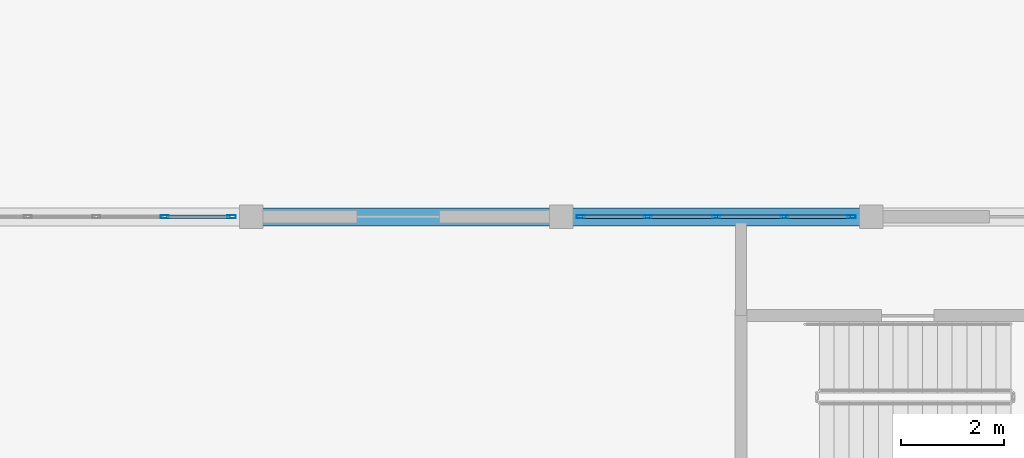
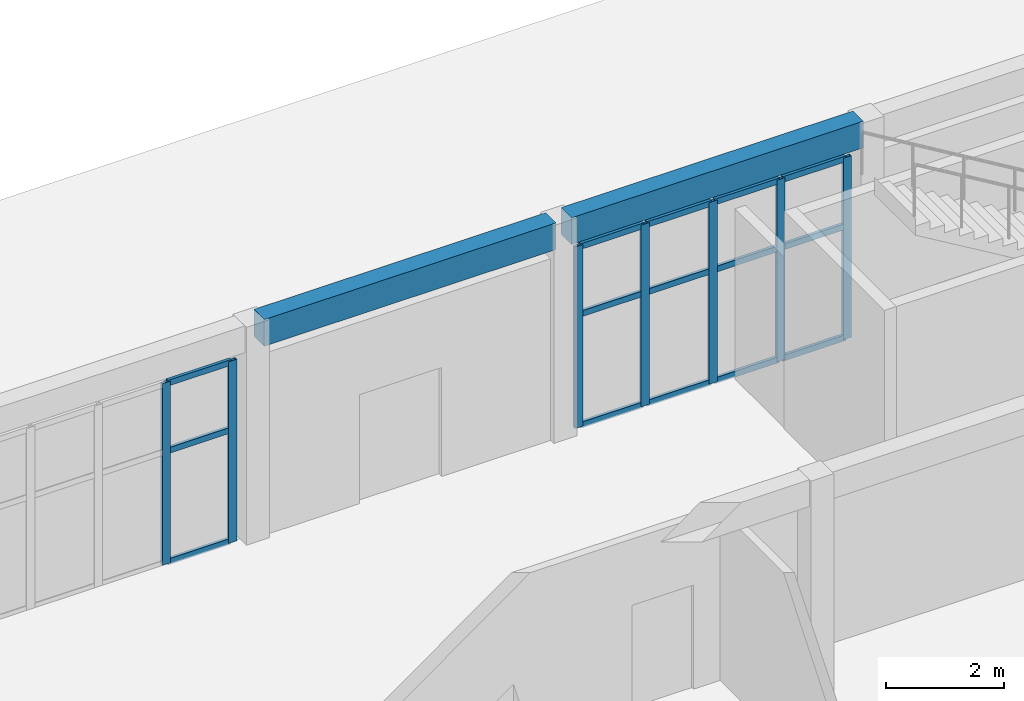
# One storey, part 50 of 132: 22 members, 2 beams, 2 elements without a shape of their own.
"""IFC4 building model written with IfcOpenShell, lengths in metres."""

from ifc_helpers import new_model, si_unit, direction, frame, origin, origin_2d, place, context, subcontext, project, spatial, rectangle, hollow_rectangle, extrude, material, material_profile, profile_set, type_object, element, aggregate, save


model = new_model("IFC4")

# Units and contexts
model_context = context("Model", 3, precision=1e-05, world=origin(), true_north=direction((0.0, 1.0)))
body_context = subcontext(model_context, "Body", "Model", "MODEL_VIEW")
ifc_project = project(units=[si_unit("LENGTHUNIT", "METRE"), si_unit("AREAUNIT", "SQUARE_METRE"), si_unit("VOLUMEUNIT", "CUBIC_METRE"), si_unit("PLANEANGLEUNIT", "RADIAN"), si_unit("MASSUNIT", "GRAM", prefix="KILO")], contexts=[model_context])

# Site, building, storey
site_placement = place(None, origin())
site = spatial("IfcSite", under=ifc_project, at=site_placement, CompositionType="ELEMENT")
building_placement = place(site_placement, origin())
building = spatial("IfcBuilding", under=site, at=building_placement, Name="Tanwirah Colonnade Gardens", CompositionType="ELEMENT")
storey_placement = place(building_placement, origin())
storey = spatial("IfcBuildingStorey", under=building, at=storey_placement, Name="L00", CompositionType="ELEMENT", Elevation=0.0)

# Beams
ifc_material_1 = material(Name="Precast concrete C40/50", Category="concrete")
ifc_material_profile_1 = material_profile(ifc_material_1, rectangle(XDim=0.35009765625, YDim=0.550048828125, at=origin_2d()), Name="PC-BM 350x550")
ifc_profile_set_1 = profile_set([ifc_material_profile_1], Name="Precast concrete C40/50")
beam_type = type_object("IfcBeamType", Name="BM-PC350A", PredefinedType="BEAM", material=ifc_profile_set_1)
for number, where, z_axis, x_axis, name in (
    (1, (90.14990234375, 109.39990234375, 4.219970703125), (1.0, 0.0, 0.0), (0.0, 1.0, 0.0), "Nursery L00 Beam X-2.2"),
    (2, (96.14990234375, 109.39990234375, 4.219970703125), (1.0, 0.0, 0.0), (0.0, 1.0, 0.0), "Nursery L00 Beam X-3.2"),
):
    element("IfcBeam", number, at=place(storey_placement, frame(where, z_axis=z_axis, x_axis=x_axis)), inside=storey, type_object=beam_type, Name=name, PredefinedType="BEAM", context=body_context, shape_type="SweptSolid", body=[
        extrude(rectangle(XDim=0.35009765625, YDim=0.550048828125, at=origin_2d()), origin(), (0.0, 0.0, 1.0), 5.7001953125),
    ])

# Curtain wall, members
ifc_material_2 = material(Name="Bronze-anodised aluminium and solar-control low-E glass", Category="aluminium")
curtain_wall_type = type_object("IfcCurtainWallType", Name="CW-NUR", PredefinedType="NOTDEFINED", material=ifc_material_2)
curtain_wall_1_placement = place(storey_placement, origin())
curtain_wall_1 = element("IfcCurtainWall", 3, at=curtain_wall_1_placement, inside=storey, type_object=curtain_wall_type, Name="Curtain Wall CW-NUR-L00-N-1", PredefinedType="NOTDEFINED")
ifc_material_3 = material(Name="Bronze-anodised aluminium", Category="aluminium")
ifc_material_profile_2 = material_profile(ifc_material_3, hollow_rectangle(XDim=0.06005859375, YDim=0.159912109375, WallThickness=0.00390625, at=origin_2d()), Name="CW-MUL 60x160x4")
ifc_profile_set_2 = profile_set([ifc_material_profile_2], Name="Bronze-anodised aluminium")
member_type_1 = type_object("IfcMemberType", Name="CWM-60x160", PredefinedType="MULLION", material=ifc_profile_set_2)
member_1_placement = place(storey_placement, frame((88.324951171875, 109.39990234375, 0.0), z_axis=(0.0, 0.0, 1.0), x_axis=(0.0, 1.0, 0.0)))
member_1 = element("IfcMember", 4, at=member_1_placement, type_object=member_type_1, Name="CW-NUR mullion 4", PredefinedType="MULLION", context=body_context, shape_type="SweptSolid", body=[
    extrude(hollow_rectangle(XDim=0.06005859375, YDim=0.159912109375, WallThickness=0.00390625, at=origin_2d()), origin(), (0.0, 0.0, 1.0), 3.75),
])
member_2_placement = place(storey_placement, frame((89.6201171875, 109.39990234375, 0.0), z_axis=(0.0, 0.0, 1.0), x_axis=(0.0, 1.0, 0.0)))
member_2 = element("IfcMember", 5, at=member_2_placement, type_object=member_type_1, Name="CW-NUR mullion 5", PredefinedType="MULLION", context=body_context, shape_type="SweptSolid", body=[
    extrude(hollow_rectangle(XDim=0.06005859375, YDim=0.159912109375, WallThickness=0.00390625, at=origin_2d()), origin(), (0.0, 0.0, 1.0), 3.75),
])

curtain_wall_2_placement = place(storey_placement, origin())
curtain_wall_2 = element("IfcCurtainWall", 6, at=curtain_wall_2_placement, inside=storey, type_object=curtain_wall_type, Name="Curtain Wall CW-NUR-L00-N-3", PredefinedType="NOTDEFINED")
member_3_placement = place(storey_placement, frame((96.3798828125, 109.39990234375, 0.0), z_axis=(0.0, 0.0, 1.0), x_axis=(0.0, 1.0, 0.0)))
member_3 = element("IfcMember", 7, at=member_3_placement, type_object=member_type_1, Name="CW-NUR mullion 1", PredefinedType="MULLION", context=body_context, shape_type="SweptSolid", body=[
    extrude(hollow_rectangle(XDim=0.06005859375, YDim=0.159912109375, WallThickness=0.00390625, at=origin_2d()), origin(), (0.0, 0.0, 1.0), 3.75),
])
member_4_placement = place(storey_placement, frame((97.675048828125, 109.39990234375, 0.0), z_axis=(0.0, 0.0, 1.0), x_axis=(0.0, 1.0, 0.0)))
member_4 = element("IfcMember", 8, at=member_4_placement, type_object=member_type_1, Name="CW-NUR mullion 2", PredefinedType="MULLION", context=body_context, shape_type="SweptSolid", body=[
    extrude(hollow_rectangle(XDim=0.06005859375, YDim=0.159912109375, WallThickness=0.00390625, at=origin_2d()), origin(), (0.0, 0.0, 1.0), 3.75),
])
member_5_placement = place(storey_placement, frame((99.0, 109.39990234375, 0.0), z_axis=(0.0, 0.0, 1.0), x_axis=(0.0, 1.0, 0.0)))
member_5 = element("IfcMember", 9, at=member_5_placement, type_object=member_type_1, Name="CW-NUR mullion 3", PredefinedType="MULLION", context=body_context, shape_type="SweptSolid", body=[
    extrude(hollow_rectangle(XDim=0.06005859375, YDim=0.159912109375, WallThickness=0.00390625, at=origin_2d()), origin(), (0.0, 0.0, 1.0), 3.75),
])
member_6_placement = place(storey_placement, frame((100.324951171875, 109.39990234375, 0.0), z_axis=(0.0, 0.0, 1.0), x_axis=(0.0, 1.0, 0.0)))
member_6 = element("IfcMember", 10, at=member_6_placement, type_object=member_type_1, Name="CW-NUR mullion 4", PredefinedType="MULLION", context=body_context, shape_type="SweptSolid", body=[
    extrude(hollow_rectangle(XDim=0.06005859375, YDim=0.159912109375, WallThickness=0.00390625, at=origin_2d()), origin(), (0.0, 0.0, 1.0), 3.75),
])
member_7_placement = place(storey_placement, frame((101.6201171875, 109.39990234375, 0.0), z_axis=(0.0, 0.0, 1.0), x_axis=(0.0, 1.0, 0.0)))
member_7 = element("IfcMember", 11, at=member_7_placement, type_object=member_type_1, Name="CW-NUR mullion 5", PredefinedType="MULLION", context=body_context, shape_type="SweptSolid", body=[
    extrude(hollow_rectangle(XDim=0.06005859375, YDim=0.159912109375, WallThickness=0.00390625, at=origin_2d()), origin(), (0.0, 0.0, 1.0), 3.75),
])

# Member
ifc_material_profile_3 = material_profile(ifc_material_3, hollow_rectangle(XDim=0.06005859375, YDim=0.1201171875, WallThickness=0.00390625, at=origin_2d()), Name="CW-TRN 60x120x4")
ifc_profile_set_3 = profile_set([ifc_material_profile_3], Name="Bronze-anodised aluminium")
member_type_2 = type_object("IfcMemberType", Name="CWT-60x120", PredefinedType="USERDEFINED", material=ifc_profile_set_3)
member_8_placement = place(storey_placement, frame((88.35498046875, 109.39990234375, 0.030029296875), z_axis=(1.0, 0.0, 0.0), x_axis=(0.0, 1.0, 0.0)))
member_8 = element("IfcMember", 12, at=member_8_placement, type_object=member_type_2, Name="CW-NUR transom 4.1", ObjectType="TRANSOM", PredefinedType="USERDEFINED", context=body_context, shape_type="SweptSolid", body=[
    extrude(hollow_rectangle(XDim=0.06005859375, YDim=0.1201171875, WallThickness=0.00390625, at=origin_2d()), origin(), (0.0, 0.0, 1.0), 1.235107421875),
])

member_9_placement = place(storey_placement, frame((88.35498046875, 109.39990234375, 2.324951171875), z_axis=(1.0, 0.0, 0.0), x_axis=(0.0, 1.0, 0.0)))
member_9 = element("IfcMember", 13, at=member_9_placement, type_object=member_type_2, Name="CW-NUR transom 4.2", ObjectType="TRANSOM", PredefinedType="USERDEFINED", context=body_context, shape_type="SweptSolid", body=[
    extrude(hollow_rectangle(XDim=0.06005859375, YDim=0.1201171875, WallThickness=0.00390625, at=origin_2d()), origin(), (0.0, 0.0, 1.0), 1.235107421875),
])

member_10_placement = place(storey_placement, frame((88.35498046875, 109.39990234375, 3.719970703125), z_axis=(1.0, 0.0, 0.0), x_axis=(0.0, 1.0, 0.0)))
member_10 = element("IfcMember", 14, at=member_10_placement, type_object=member_type_2, Name="CW-NUR transom 4.3", ObjectType="TRANSOM", PredefinedType="USERDEFINED", context=body_context, shape_type="SweptSolid", body=[
    extrude(hollow_rectangle(XDim=0.06005859375, YDim=0.1201171875, WallThickness=0.00390625, at=origin_2d()), origin(), (0.0, 0.0, 1.0), 1.235107421875),
])

aggregate(curtain_wall_1, [member_1, member_2, member_8, member_9, member_10])

member_11_placement = place(storey_placement, frame((96.409912109375, 109.39990234375, 0.030029296875), z_axis=(1.0, 0.0, 0.0), x_axis=(0.0, 1.0, 0.0)))
member_11 = element("IfcMember", 15, at=member_11_placement, type_object=member_type_2, Name="CW-NUR transom 1.1", ObjectType="TRANSOM", PredefinedType="USERDEFINED", context=body_context, shape_type="SweptSolid", body=[
    extrude(hollow_rectangle(XDim=0.06005859375, YDim=0.1201171875, WallThickness=0.00390625, at=origin_2d()), origin(), (0.0, 0.0, 1.0), 1.235107421875),
])

member_12_placement = place(storey_placement, frame((96.409912109375, 109.39990234375, 2.324951171875), z_axis=(1.0, 0.0, 0.0), x_axis=(0.0, 1.0, 0.0)))
member_12 = element("IfcMember", 16, at=member_12_placement, type_object=member_type_2, Name="CW-NUR transom 1.2", ObjectType="TRANSOM", PredefinedType="USERDEFINED", context=body_context, shape_type="SweptSolid", body=[
    extrude(hollow_rectangle(XDim=0.06005859375, YDim=0.1201171875, WallThickness=0.00390625, at=origin_2d()), origin(), (0.0, 0.0, 1.0), 1.235107421875),
])

member_13_placement = place(storey_placement, frame((96.409912109375, 109.39990234375, 3.719970703125), z_axis=(1.0, 0.0, 0.0), x_axis=(0.0, 1.0, 0.0)))
member_13 = element("IfcMember", 17, at=member_13_placement, type_object=member_type_2, Name="CW-NUR transom 1.3", ObjectType="TRANSOM", PredefinedType="USERDEFINED", context=body_context, shape_type="SweptSolid", body=[
    extrude(hollow_rectangle(XDim=0.06005859375, YDim=0.1201171875, WallThickness=0.00390625, at=origin_2d()), origin(), (0.0, 0.0, 1.0), 1.235107421875),
])

member_14_placement = place(storey_placement, frame((97.705078125, 109.39990234375, 0.030029296875), z_axis=(1.0, 0.0, 0.0), x_axis=(0.0, 1.0, 0.0)))
member_14 = element("IfcMember", 18, at=member_14_placement, type_object=member_type_2, Name="CW-NUR transom 2.1", ObjectType="TRANSOM", PredefinedType="USERDEFINED", context=body_context, shape_type="SweptSolid", body=[
    extrude(hollow_rectangle(XDim=0.06005859375, YDim=0.1201171875, WallThickness=0.00390625, at=origin_2d()), origin(), (0.0, 0.0, 1.0), 1.264892578125),
])

member_15_placement = place(storey_placement, frame((97.705078125, 109.39990234375, 2.324951171875), z_axis=(1.0, 0.0, 0.0), x_axis=(0.0, 1.0, 0.0)))
member_15 = element("IfcMember", 19, at=member_15_placement, type_object=member_type_2, Name="CW-NUR transom 2.2", ObjectType="TRANSOM", PredefinedType="USERDEFINED", context=body_context, shape_type="SweptSolid", body=[
    extrude(hollow_rectangle(XDim=0.06005859375, YDim=0.1201171875, WallThickness=0.00390625, at=origin_2d()), origin(), (0.0, 0.0, 1.0), 1.264892578125),
])

member_16_placement = place(storey_placement, frame((97.705078125, 109.39990234375, 3.719970703125), z_axis=(1.0, 0.0, 0.0), x_axis=(0.0, 1.0, 0.0)))
member_16 = element("IfcMember", 20, at=member_16_placement, type_object=member_type_2, Name="CW-NUR transom 2.3", ObjectType="TRANSOM", PredefinedType="USERDEFINED", context=body_context, shape_type="SweptSolid", body=[
    extrude(hollow_rectangle(XDim=0.06005859375, YDim=0.1201171875, WallThickness=0.00390625, at=origin_2d()), origin(), (0.0, 0.0, 1.0), 1.264892578125),
])

member_17_placement = place(storey_placement, frame((99.030029296875, 109.39990234375, 0.030029296875), z_axis=(1.0, 0.0, 0.0), x_axis=(0.0, 1.0, 0.0)))
member_17 = element("IfcMember", 21, at=member_17_placement, type_object=member_type_2, Name="CW-NUR transom 3.1", ObjectType="TRANSOM", PredefinedType="USERDEFINED", context=body_context, shape_type="SweptSolid", body=[
    extrude(hollow_rectangle(XDim=0.06005859375, YDim=0.1201171875, WallThickness=0.00390625, at=origin_2d()), origin(), (0.0, 0.0, 1.0), 1.264892578125),
])

member_18_placement = place(storey_placement, frame((99.030029296875, 109.39990234375, 2.324951171875), z_axis=(1.0, 0.0, 0.0), x_axis=(0.0, 1.0, 0.0)))
member_18 = element("IfcMember", 22, at=member_18_placement, type_object=member_type_2, Name="CW-NUR transom 3.2", ObjectType="TRANSOM", PredefinedType="USERDEFINED", context=body_context, shape_type="SweptSolid", body=[
    extrude(hollow_rectangle(XDim=0.06005859375, YDim=0.1201171875, WallThickness=0.00390625, at=origin_2d()), origin(), (0.0, 0.0, 1.0), 1.264892578125),
])

member_19_placement = place(storey_placement, frame((99.030029296875, 109.39990234375, 3.719970703125), z_axis=(1.0, 0.0, 0.0), x_axis=(0.0, 1.0, 0.0)))
member_19 = element("IfcMember", 23, at=member_19_placement, type_object=member_type_2, Name="CW-NUR transom 3.3", ObjectType="TRANSOM", PredefinedType="USERDEFINED", context=body_context, shape_type="SweptSolid", body=[
    extrude(hollow_rectangle(XDim=0.06005859375, YDim=0.1201171875, WallThickness=0.00390625, at=origin_2d()), origin(), (0.0, 0.0, 1.0), 1.264892578125),
])

member_20_placement = place(storey_placement, frame((100.35498046875, 109.39990234375, 0.030029296875), z_axis=(1.0, 0.0, 0.0), x_axis=(0.0, 1.0, 0.0)))
member_20 = element("IfcMember", 24, at=member_20_placement, type_object=member_type_2, Name="CW-NUR transom 4.1", ObjectType="TRANSOM", PredefinedType="USERDEFINED", context=body_context, shape_type="SweptSolid", body=[
    extrude(hollow_rectangle(XDim=0.06005859375, YDim=0.1201171875, WallThickness=0.00390625, at=origin_2d()), origin(), (0.0, 0.0, 1.0), 1.235107421875),
])

member_21_placement = place(storey_placement, frame((100.35498046875, 109.39990234375, 2.324951171875), z_axis=(1.0, 0.0, 0.0), x_axis=(0.0, 1.0, 0.0)))
member_21 = element("IfcMember", 25, at=member_21_placement, type_object=member_type_2, Name="CW-NUR transom 4.2", ObjectType="TRANSOM", PredefinedType="USERDEFINED", context=body_context, shape_type="SweptSolid", body=[
    extrude(hollow_rectangle(XDim=0.06005859375, YDim=0.1201171875, WallThickness=0.00390625, at=origin_2d()), origin(), (0.0, 0.0, 1.0), 1.235107421875),
])

member_22_placement = place(storey_placement, frame((100.35498046875, 109.39990234375, 3.719970703125), z_axis=(1.0, 0.0, 0.0), x_axis=(0.0, 1.0, 0.0)))
member_22 = element("IfcMember", 26, at=member_22_placement, type_object=member_type_2, Name="CW-NUR transom 4.3", ObjectType="TRANSOM", PredefinedType="USERDEFINED", context=body_context, shape_type="SweptSolid", body=[
    extrude(hollow_rectangle(XDim=0.06005859375, YDim=0.1201171875, WallThickness=0.00390625, at=origin_2d()), origin(), (0.0, 0.0, 1.0), 1.235107421875),
])

aggregate(curtain_wall_2, [member_3, member_4, member_5, member_6, member_7, member_11, member_12, member_13, member_14, member_15, member_16, member_17, member_18, member_19, member_20, member_21, member_22])

save(model, "model.ifc")
